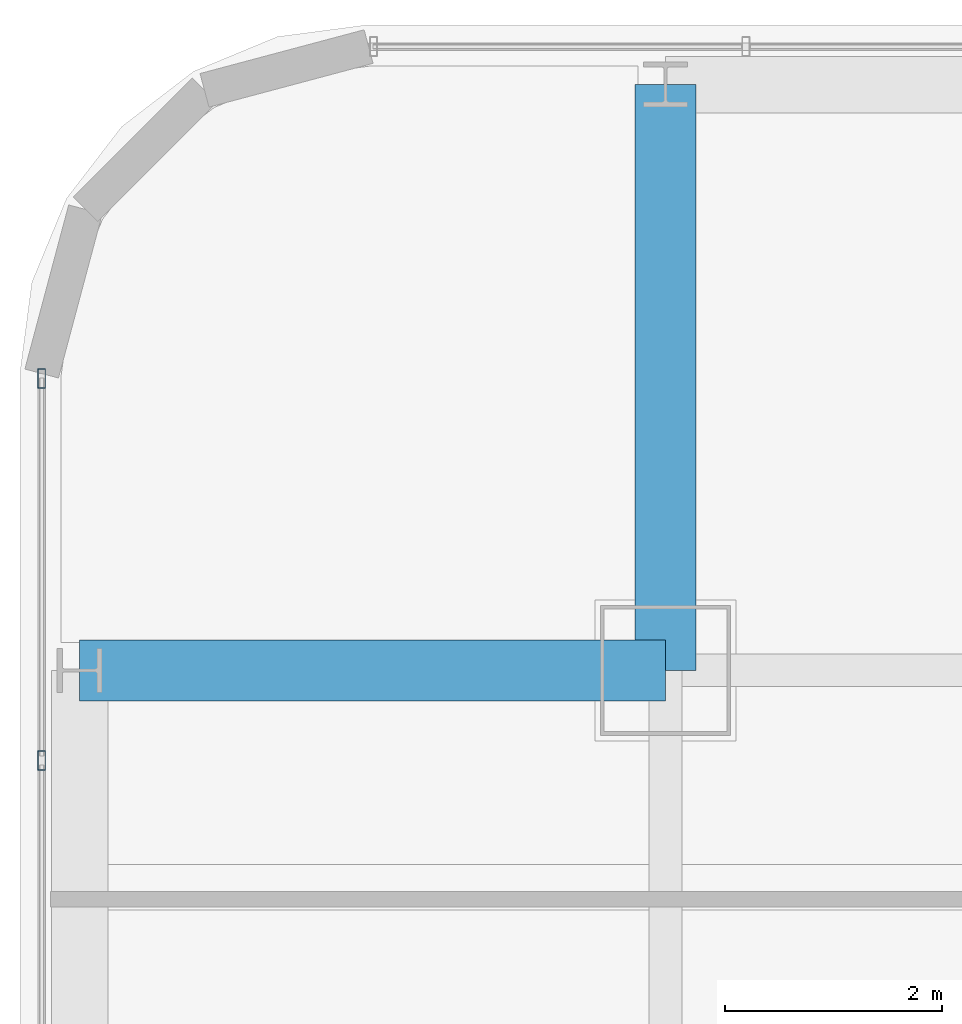
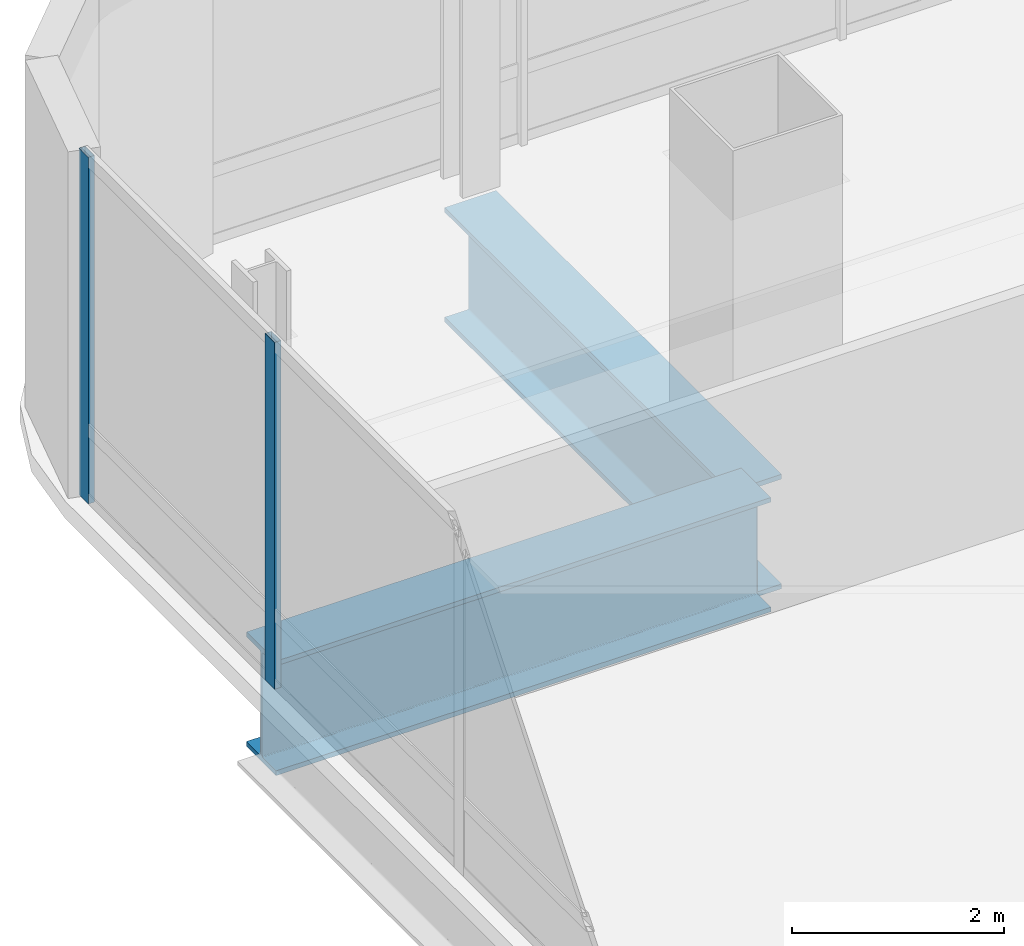
# One storey, part 20 of 43: 2 beams, 2 members, 1 element without a shape of its own.
"""IFC4 building model written with IfcOpenShell, lengths in metres."""

import ifcopenshell
import ifcopenshell.guid

model = None  # the IFC model being written
_history = None  # IfcOwnerHistory: only IFC2X3 demands one
_inside = {}  # id of a spatial element -> (the spatial element, [elements in it])
_under = {}  # id of a project, library or spatial element -> (it, [spatial elements below it])
_declared = {}  # id of a project -> (the project, [libraries it declares])
_typed = {}  # id of a type object -> (the type object, [elements of that type])
_made_of = {}  # id of a material, layer set ... -> (it, [elements and type objects made of it])


def new_model(schema):
    """Start an empty IFC model of exactly this schema.

    Asked for "IFC4X3", IfcOpenShell would pick the latest addendum, in which some entities
    have other attributes; the version numbers below select the first issue.
    IFC2X3 requires an IfcOwnerHistory on every rooted entity: one is made here for all.
    """
    global model, _history
    if schema == "IFC4X3":
        model = ifcopenshell.file(schema_version=(4, 3, 0, 0))
    else:
        model = ifcopenshell.file(schema=schema)
    _inside.clear()
    _under.clear()
    _declared.clear()
    _typed.clear()
    _made_of.clear()
    _history = None
    if model.schema == "IFC2X3":
        org = make("IfcOrganization", Name="unknown")
        user = make(
            "IfcPersonAndOrganization",
            ThePerson=make("IfcPerson", FamilyName="unknown"),
            TheOrganization=org,
        )
        app = make(
            "IfcApplication",
            ApplicationDeveloper=org,
            Version="unknown",
            ApplicationFullName="unknown",
            ApplicationIdentifier="unknown",
        )
        _history = make(
            "IfcOwnerHistory",
            OwningUser=user,
            OwningApplication=app,
            ChangeAction="ADDED",
            CreationDate=0,
        )
    return model


def make(cls, **values):
    """One entity of the class cls with the attributes given. An attribute that is None is left unset."""
    return model.create_entity(
        cls, **{name: value for name, value in values.items() if value is not None}
    )


def rooted(cls, **values):
    """An entity with a GlobalId (a new one), such as an element, a storey or a relation."""
    return make(cls, GlobalId=ifcopenshell.guid.new(), OwnerHistory=_history, **values)


def si_unit(unit_type, name, prefix=None):
    """IfcSIUnit, for example si_unit("LENGTHUNIT", "METRE", prefix="MILLI")."""
    return make("IfcSIUnit", UnitType=unit_type, Prefix=prefix, Name=name)


def assignment(units):
    """IfcUnitAssignment: the units of a project."""
    return None if units is None else make("IfcUnitAssignment", Units=units)


def point(xyz):
    """IfcCartesianPoint."""
    return None if xyz is None else make("IfcCartesianPoint", Coordinates=xyz)


def direction(xyz):
    """IfcDirection."""
    return None if xyz is None else make("IfcDirection", DirectionRatios=xyz)


def frame(location, z_axis=None, x_axis=None):
    """IfcAxis2Placement3D, a coordinate frame: its origin and axes. An axis left out is left unset."""
    return make(
        "IfcAxis2Placement3D",
        Location=point(location),
        Axis=direction(z_axis),
        RefDirection=direction(x_axis),
    )


def frame_2d(location, x_axis=None):
    """IfcAxis2Placement2D, a coordinate frame in the plane: its origin and x axis."""
    return make(
        "IfcAxis2Placement2D", Location=point(location), RefDirection=direction(x_axis)
    )


def origin():
    """The frame at (0, 0, 0) with its axes left unset."""
    return frame((0.0, 0.0, 0.0))


def origin_2d():
    """The frame at (0, 0) in the plane with its x axis left unset."""
    return frame_2d((0.0, 0.0))


def place(relative_to, where):
    """IfcLocalPlacement: puts the frame where relative to a parent placement (None: the world)."""
    return make(
        "IfcLocalPlacement", PlacementRelTo=relative_to, RelativePlacement=where
    )


def context(
    kind, dimensions, precision=None, world=None, true_north=None, identifier=None
):
    """IfcGeometricRepresentationContext, for example the 3D "Model" context."""
    return make(
        "IfcGeometricRepresentationContext",
        ContextIdentifier=identifier,
        ContextType=kind,
        CoordinateSpaceDimension=dimensions,
        Precision=precision,
        WorldCoordinateSystem=world,
        TrueNorth=true_north,
    )


def subcontext(parent, identifier, kind, view, scale=None):
    """IfcGeometricRepresentationSubContext, for example "Body" below "Model"."""
    return make(
        "IfcGeometricRepresentationSubContext",
        ContextIdentifier=identifier,
        ContextType=kind,
        ParentContext=parent,
        TargetScale=scale,
        TargetView=view,
    )


def project(units=None, contexts=None):
    """IfcProject with its units and contexts."""
    return rooted(
        "IfcProject",
        Name="project",
        RepresentationContexts=contexts,
        UnitsInContext=assignment(units),
    )


def spatial(cls, under=None, at=None, **own):
    """A site, building, storey or space (cls), placed at a placement, below another one or the project."""
    s = rooted(cls, ObjectPlacement=at, **own)
    if under is not None:
        _under.setdefault(under.id(), (under, []))[1].append(s)
    return s


def profile(cls, at=None, kind="AREA", **sizes):
    """A parametric profile (cls). Its sizes go by their IFC names, for example OverallWidth=200.0."""
    return make(cls, ProfileType=kind, Position=at, **sizes)


def hollow_rectangle(**sizes):
    """IfcRectangleHollowProfileDef."""
    return profile("IfcRectangleHollowProfileDef", **sizes)


def i_section(**sizes):
    """IfcIShapeProfileDef."""
    return profile("IfcIShapeProfileDef", **sizes)


def extrude(swept, where, along, depth):
    """IfcExtrudedAreaSolid: the profile swept, set in the frame where, extruded along a direction by depth."""
    return make(
        "IfcExtrudedAreaSolid",
        SweptArea=swept,
        Position=where,
        ExtrudedDirection=direction(along),
        Depth=depth,
    )


def shape(context_of_items, identifier, shape_type, items):
    """IfcShapeRepresentation: the items that make up one representation, for example the "Body"."""
    return make(
        "IfcShapeRepresentation",
        ContextOfItems=context_of_items,
        RepresentationIdentifier=identifier,
        RepresentationType=shape_type,
        Items=items,
    )


def material(Name=None, Category=None):
    """IfcMaterial."""
    return make("IfcMaterial", Name=Name, Category=Category)


def material_profile(
    of_material, cross_section, Name=None, Category=None, Priority=None
):
    """IfcMaterialProfile: a cross section and its material."""
    return make(
        "IfcMaterialProfile",
        Name=Name,
        Material=of_material,
        Profile=cross_section,
        Priority=Priority,
        Category=Category,
    )


def profile_set(profiles, Name=None, composite=None):
    """IfcMaterialProfileSet."""
    return make(
        "IfcMaterialProfileSet",
        Name=Name,
        MaterialProfiles=profiles,
        CompositeProfile=composite,
    )


def made_of(thing, what):
    """Note that an element or type object is made of a material, layer set ...; save() writes the relation."""
    if what is not None:
        _made_of.setdefault(what.id(), (what, []))[1].append(thing)
    return thing


def type_object(cls, material=None, **own):
    """A type object (cls), such as IfcWallType, which elements share."""
    return made_of(rooted(cls, **own), material)


def element(
    cls,
    number,
    at=None,
    inside=None,
    cuts=None,
    type_object=None,
    material=None,
    context=None,
    identifier="Body",
    shape_type=None,
    held_by="IfcProductDefinitionShape",
    body=None,
    shapes=None,
    **own,
):
    """One element of the class cls, such as IfcWall. Its Tag is "e" and its number.

    at: its placement. inside: the storey or other place that contains it. cuts: it is an
    opening in that element (IfcRelVoidsElement). A single representation is given by context,
    identifier, shape_type and body (its items); several are given by shapes. held_by: the class
    of the entity that holds the representations. save() writes the other relations.
    """
    e = rooted(cls, Tag="e%d" % number, ObjectPlacement=at, **own)
    if body is not None:
        shapes = [shape(context, identifier, shape_type, body)]
    if shapes is not None:
        e.Representation = make(held_by, Representations=shapes)
    if inside is not None:
        _inside.setdefault(inside.id(), (inside, []))[1].append(e)
    if cuts is not None:
        rooted(
            "IfcRelVoidsElement", RelatingBuildingElement=cuts, RelatedOpeningElement=e
        )
    if type_object is not None:
        _typed.setdefault(type_object.id(), (type_object, []))[1].append(e)
    return made_of(e, material)


def aggregate(whole, parts):
    """IfcRelAggregates: a whole, such as a stair, and the parts it consists of."""
    return rooted("IfcRelAggregates", RelatingObject=whole, RelatedObjects=parts)


def save(model, path):
    """Write the relations noted so far, then the file.

    IfcRelAggregates (storeys below a building ...), IfcRelContainedInSpatialStructure (elements
    in a storey), IfcRelDefinesByType, IfcRelAssociatesMaterial and IfcRelDeclares: one each for
    every whole, place, type object, material and project.
    """
    for whole, parts in _under.values():
        aggregate(whole, parts)
    for where, things in _inside.values():
        rooted(
            "IfcRelContainedInSpatialStructure",
            RelatedElements=things,
            RelatingStructure=where,
        )
    for kind, things in _typed.values():
        rooted("IfcRelDefinesByType", RelatedObjects=things, RelatingType=kind)
    for what, things in _made_of.values():
        rooted("IfcRelAssociatesMaterial", RelatedObjects=things, RelatingMaterial=what)
    for by, libraries in _declared.values():
        rooted("IfcRelDeclares", RelatingContext=by, RelatedDefinitions=libraries)
    model.write(path)


model = new_model("IFC4")

# Units and contexts
model_context = context("Model", 3, precision=1e-05, world=origin(), true_north=direction((0.0, 1.0)))
body_context = subcontext(model_context, "Body", "Model", "MODEL_VIEW")
ifc_project = project(units=[si_unit("LENGTHUNIT", "METRE"), si_unit("AREAUNIT", "SQUARE_METRE"), si_unit("VOLUMEUNIT", "CUBIC_METRE"), si_unit("PLANEANGLEUNIT", "RADIAN"), si_unit("MASSUNIT", "GRAM", prefix="KILO")], contexts=[model_context])

# Site, building, storey
site_placement = place(None, origin())
site = spatial("IfcSite", under=ifc_project, at=site_placement, CompositionType="ELEMENT")
building_placement = place(site_placement, origin())
building = spatial("IfcBuilding", under=site, at=building_placement, Name="Punatoya Terracotta Tower", CompositionType="ELEMENT")
storey_placement = place(building_placement, frame((0.0, 0.0, 300.60009765625)))
storey = spatial("IfcBuildingStorey", under=building, at=storey_placement, Name="L71", CompositionType="ELEMENT", Elevation=300.60009765625)

# Beams
ifc_material_1 = material(Name="Steel S460", Category="steel")
ifc_material_profile_1 = material_profile(ifc_material_1, i_section(OverallWidth=0.56005859375, OverallDepth=1.320068359375, WebThickness=0.035888671875, FlangeThickness=0.054931640625, FilletRadius=0.01806640625, at=origin_2d()))
ifc_profile_set_1 = profile_set([ifc_material_profile_1], Name="Steel S460")
beam_type = type_object("IfcBeamType", Name="BM-TG-BLK", PredefinedType="BEAM", material=ifc_profile_set_1)
for number, where, z_axis, x_axis, name in (
    (1, (-24.5, 17.5, -0.860107421875), (1.0, 0.0, 0.0), (0.0, 1.0, 0.0), "BM-L71-CANT-W4"),
    (2, (-19.10009765625, 17.5, -0.860107421875), (0.0, 1.0, 0.0), (-1.0, 0.0, 0.0), "BM-L71-CANT-N1"),
):
    element("IfcBeam", number, at=place(storey_placement, frame(where, z_axis=z_axis, x_axis=x_axis)), inside=storey, type_object=beam_type, Name=name, PredefinedType="BEAM", context=body_context, shape_type="SweptSolid", body=[
        extrude(i_section(OverallWidth=0.56005859375, OverallDepth=1.320068359375, WebThickness=0.035888671875, FlangeThickness=0.054931640625, FilletRadius=0.01806640625, at=origin_2d()), origin(), (0.0, 0.0, 1.0), 5.39990234375),
    ])

# Curtain wall, members
ifc_material_2 = material(Name="Aluminium 6063-T6 + Double Low-E Glass", Category="aluminium")
curtain_wall_type = type_object("IfcCurtainWallType", Name="CW-M3", PredefinedType="NOTDEFINED", material=ifc_material_2)
curtain_wall_placement = place(storey_placement, origin())
curtain_wall = element("IfcCurtainWall", 3, at=curtain_wall_placement, inside=storey, type_object=curtain_wall_type, Name="L71 Curtain Wall CW-L71-W13-1", PredefinedType="NOTDEFINED")
ifc_material_3 = material(Name="Aluminium 6063-T6", Category="aluminium")
ifc_material_profile_2 = material_profile(ifc_material_3, hollow_rectangle(XDim=0.070068359375, YDim=0.179931640625, WallThickness=0.00390625, at=origin_2d()))
ifc_profile_set_2 = profile_set([ifc_material_profile_2], Name="Aluminium 6063-T6")
member_type = type_object("IfcMemberType", Name="CW-MUL-M3", PredefinedType="MULLION", material=ifc_profile_set_2)
member_1_placement = place(storey_placement, frame((-24.85009765625, 20.19189453125, 0.0), z_axis=(0.0, 0.0, 1.0), x_axis=(1.0, 0.0, 0.0)))
member_1 = element("IfcMember", 4, at=member_1_placement, type_object=member_type, Name="CW-L71-W13-1 Mullion 00", PredefinedType="MULLION", context=body_context, shape_type="SweptSolid", body=[
    extrude(hollow_rectangle(XDim=0.070068359375, YDim=0.179931640625, WallThickness=0.00390625, at=origin_2d()), origin(), (0.0, 0.0, 1.0), 4.0),
])
member_2_placement = place(storey_placement, frame((-24.85009765625, 16.66943359375, 0.0), z_axis=(0.0, 0.0, 1.0), x_axis=(1.0, 0.0, 0.0)))
member_2 = element("IfcMember", 5, at=member_2_placement, type_object=member_type, Name="CW-L71-W13-1 Mullion 01", PredefinedType="MULLION", context=body_context, shape_type="SweptSolid", body=[
    extrude(hollow_rectangle(XDim=0.070068359375, YDim=0.179931640625, WallThickness=0.00390625, at=origin_2d()), origin(), (0.0, 0.0, 1.0), 4.0),
])
aggregate(curtain_wall, [member_1, member_2])

save(model, "model.ifc")
